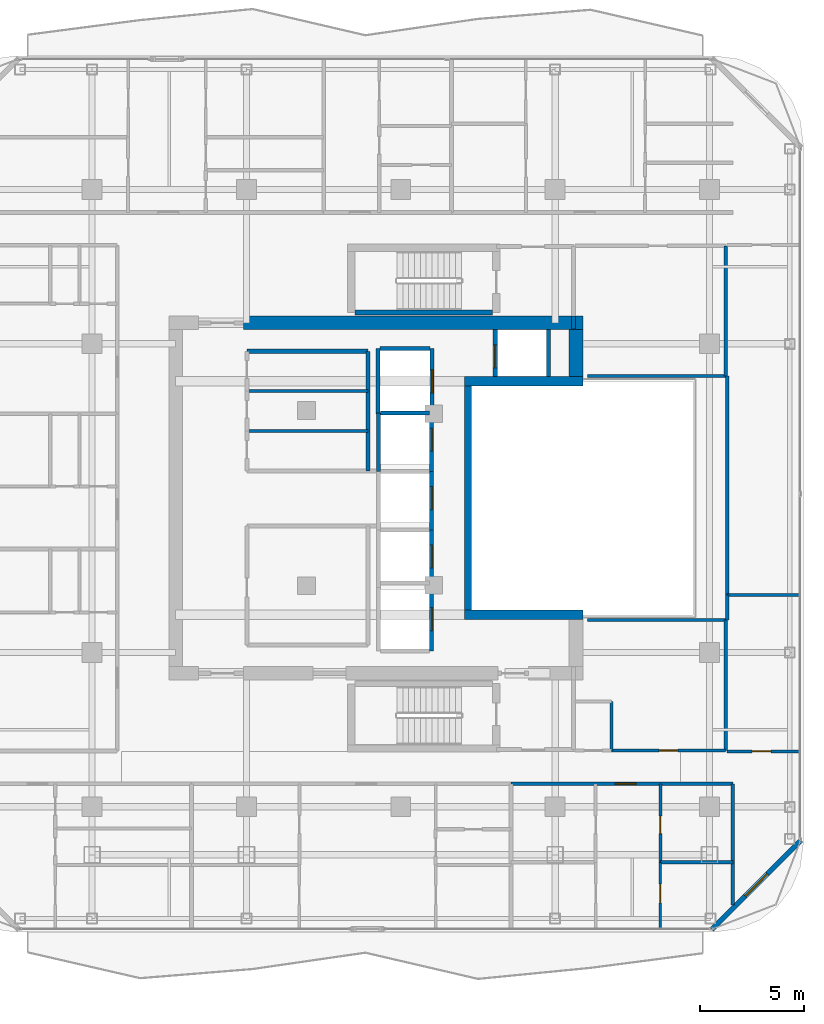
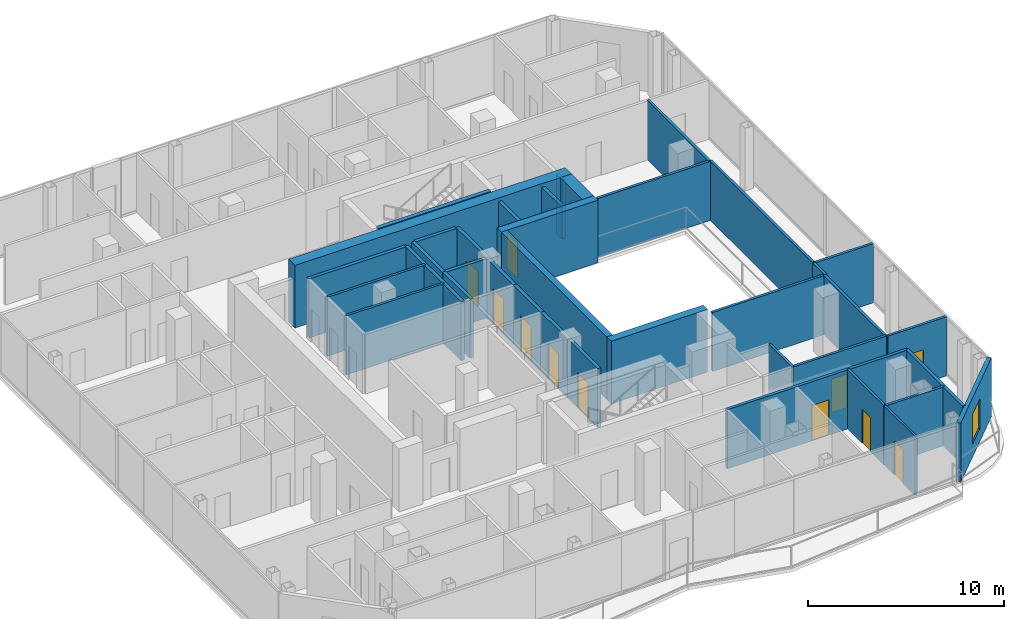
# One storey, part 18 of 23: 38 walls, 11 doors, 1 window, 12 openings.
"""IFC4 building model written with IfcOpenShell, lengths in metres."""

from ifc_helpers import new_model, si_unit, direction, frame, frame_2d, origin, place, context, subcontext, project, spatial, rectangle, extrude, material, layer, layer_set, type_object, element, fill, save


model = new_model("IFC4")

# Units and contexts
model_context = context("Model", 3, precision=1e-05, world=origin(), true_north=direction((0.0, 1.0)))
body_context = subcontext(model_context, "Body", "Model", "MODEL_VIEW")
ifc_project = project(units=[si_unit("LENGTHUNIT", "METRE"), si_unit("AREAUNIT", "SQUARE_METRE"), si_unit("VOLUMEUNIT", "CUBIC_METRE"), si_unit("PLANEANGLEUNIT", "RADIAN"), si_unit("MASSUNIT", "GRAM", prefix="KILO")], contexts=[model_context])

# Site, building, storey
site_placement = place(None, origin())
site = spatial("IfcSite", under=ifc_project, at=site_placement, CompositionType="ELEMENT")
building_placement = place(site_placement, origin())
building = spatial("IfcBuilding", under=site, at=building_placement, Name="Khorvyn Point Tower", CompositionType="ELEMENT")
storey_placement = place(building_placement, frame((0.0, 0.0, 293.699951171875)))
storey = spatial("IfcBuildingStorey", under=building, at=storey_placement, Name="L72", CompositionType="ELEMENT", Elevation=293.699951171875)

# Wall, opening, door
ifc_material_1 = material(Name="Double acoustic gypsum on twin steel stud", Category="steel")
ifc_layer_1 = layer(ifc_material_1, 0.179931640625)
ifc_layer_set_1 = layer_set([ifc_layer_1], Name="Acoustic Double-Stud Apartment Demising Wall 180")
wall_type_1 = type_object("IfcWallType", Name="Acoustic Double-Stud Apartment Demising Wall 180", PredefinedType="PARTITIONING", material=ifc_layer_set_1)
wall_1_placement = place(storey_placement, frame((5.282958984375, -13.699951171875, 0.0), z_axis=(0.0, 0.0, 1.0), x_axis=(1.0, 0.0, 0.0)))
wall_1 = element("IfcWall", 1, at=wall_1_placement, inside=storey, type_object=wall_type_1, Name="Wall", PredefinedType="PARTITIONING", context=body_context, shape_type="SweptSolid", body=[
    extrude(rectangle(XDim=10.636962890625, YDim=0.179931640625, at=frame_2d((5.318359375, 0.0))), origin(), (0.0, 0.0, 1.0), 3.679931640625),
])
opening_1_placement = place(wall_1_placement, frame((4.997802734375, 0.0, 0.0)))
opening_1 = element("IfcOpeningElement", 2, at=opening_1_placement, cuts=wall_1, Name="Opening ID-AP60", PredefinedType="OPENING", context=body_context, shape_type="SweptSolid", body=[
    extrude(rectangle(XDim=1.0, YDim=2.199951171875, at=frame_2d((0.5, 1.10009765625))), frame((0.0, 0.099853515625, 0.0), z_axis=(0.0, -1.0, 0.0), x_axis=(1.0, 0.0, 0.0)), (0.0, 0.0, 1.0), 0.199951171875),
])
ifc_material_2 = material(Name="Engineered hardwood fire-rated leaf", Category="wood")
door_type_1 = type_object("IfcDoorType", Name="Acoustic Solid-Core Timber Apartment Entrance Door 1000x2200", OperationType="NOTDEFINED", PredefinedType="DOOR", material=ifc_material_2)
door_1_placement = place(opening_1_placement, origin())
door_1 = element("IfcDoor", 3, at=door_1_placement, inside=storey, type_object=door_type_1, Name="Door", OperationType="SINGLE_SWING_LEFT", OverallHeight=2.199951171875, OverallWidth=1.0, PredefinedType="DOOR", context=body_context, shape_type="SweptSolid", body=[
    extrude(rectangle(XDim=1.0, YDim=2.199951171875, at=frame_2d((0.5, 1.10009765625))), frame((0.0, 0.02490234375, 0.0), z_axis=(0.0, -1.0, 0.0), x_axis=(1.0, 0.0, 0.0)), (0.0, 0.0, 1.0), 0.050048828125),
])
fill(opening_1, door_1)

# Wall
wall_2_placement = place(storey_placement, frame((15.919921875, -19.510009765625, 0.0), z_axis=(0.0, 0.0, 1.0), x_axis=(0.0, 1.0, 0.0)))
element("IfcWall", 4, at=wall_2_placement, inside=storey, type_object=wall_type_1, Name="Wall", PredefinedType="PARTITIONING", context=body_context, shape_type="SweptSolid", body=[
    extrude(rectangle(XDim=5.81005859375, YDim=0.179931640625, at=frame_2d((2.905029296875, 0.0))), origin(), (0.0, 0.0, 1.0), 3.679931640625),
])

# Wall, opening, window
ifc_material_3 = material(Name="Pale anodised aluminium rainscreen on steel stud", Category="steel")
ifc_layer_2 = layer(ifc_material_3, 0.239990234375)
ifc_layer_set_2 = layer_set([ifc_layer_2], Name="Anodised Aluminium Insulated Corner Spandrel Wall 240")
wall_type_2 = type_object("IfcWallType", Name="Anodised Aluminium Insulated Corner Spandrel Wall 240", PredefinedType="SOLIDWALL", material=ifc_layer_set_2)
wall_3_placement = place(storey_placement, frame((19.1923828125, -16.40771484375, 0.0), z_axis=(0.0, 0.0, 1.0), x_axis=(-0.707106781187, -0.707106781187, 0.0)))
wall_3 = element("IfcWall", 5, at=wall_3_placement, inside=storey, type_object=wall_type_2, Name="L72 Rounded Corner Wall SE", PredefinedType="SOLIDWALL", context=body_context, shape_type="SweptSolid", body=[
    extrude(rectangle(XDim=6.059326171875, YDim=0.239990234375, at=frame_2d((3.02978515625, 0.0))), origin(), (0.0, 0.0, 1.0), 3.679931640625),
])
opening_2_placement = place(wall_3_placement, frame((2.27978515625, 0.0, 0.800048828125)))
opening_2 = element("IfcOpeningElement", 6, at=opening_2_placement, cuts=wall_3, Name="Opening WN-1518", PredefinedType="OPENING", context=body_context, shape_type="SweptSolid", body=[
    extrude(rectangle(XDim=1.5, YDim=1.85009765625, at=frame_2d((0.75, 0.925048828125))), frame((0.0, 0.1298828125, 0.0), z_axis=(0.0, -1.0, 0.0), x_axis=(1.0, 0.0, 0.0)), (0.0, 0.0, 1.0), 0.260009765625),
])
ifc_material_4 = material(Name="Anodised aluminium 6063-T6 and laminated Low-E glass", Category="aluminium")
window_type = type_object("IfcWindowType", Name="Anodised Aluminium Rounded-Corner Panoramic Window 1500x1850", PartitioningType="SINGLE_PANEL", PredefinedType="WINDOW", material=ifc_material_4)
window_placement = place(opening_2_placement, origin())
window = element("IfcWindow", 7, at=window_placement, inside=storey, type_object=window_type, Name="L72 Corner Panoramic Window SE", OverallHeight=1.85009765625, OverallWidth=1.5, PartitioningType="SINGLE_PANEL", PredefinedType="WINDOW", context=body_context, shape_type="SweptSolid", body=[
    extrude(rectangle(XDim=1.5, YDim=1.85009765625, at=frame_2d((0.75, 0.925048828125))), frame((0.0, 0.030029296875, 0.0), z_axis=(0.0, -1.0, 0.0), x_axis=(1.0, 0.0, 0.0)), (0.0, 0.0, 1.0), 0.06005859375),
])
fill(opening_2, window)

# Walls
ifc_material_5 = material(Name="Concrete C40/50", Category="concrete")
ifc_layer_3 = layer(ifc_material_5, 0.449951171875)
ifc_layer_set_3 = layer_set([ifc_layer_3], Name="Concrete C40/50 Core Shear Wall 450")
wall_type_3 = type_object("IfcWallType", Name="Concrete C40/50 Core Shear Wall 450", PredefinedType="SHEAR", material=ifc_layer_set_3)
for number, where, z_axis, x_axis, name in (
    (8, (3.044921875, -5.60009765625, 0.0), (0.0, 0.0, 1.0), (1.0, 0.0, 0.0), "Wall"),
    (9, (3.044921875, 5.60009765625, 0.0), (0.0, 0.0, 1.0), (1.0, 0.0, 0.0), "Wall"),
):
    element("IfcWall", number, at=place(storey_placement, frame(where, z_axis=z_axis, x_axis=x_axis)), inside=storey, type_object=wall_type_3, Name=name, PredefinedType="SHEAR", context=body_context, shape_type="SweptSolid", body=[
        extrude(rectangle(XDim=5.68017578125, YDim=0.449951171875, at=frame_2d((2.840087890625, 0.0))), origin(), (0.0, 0.0, 1.0), 3.900146484375),
    ])
ifc_layer_4 = layer(ifc_material_5, 0.64990234375)
ifc_layer_set_4 = layer_set([ifc_layer_4], Name="Concrete C40/50 Core Shear Wall 650")
wall_type_4 = type_object("IfcWallType", Name="Concrete C40/50 Core Shear Wall 650", PredefinedType="SHEAR", material=ifc_layer_set_4)
wall_4_placement = place(storey_placement, frame((-7.550048828125, 8.39990234375, 0.0), z_axis=(0.0, 0.0, 1.0), x_axis=(1.0, 0.0, 0.0)))
element("IfcWall", 10, at=wall_4_placement, inside=storey, type_object=wall_type_4, Name="Wall", PredefinedType="SHEAR", context=body_context, shape_type="SweptSolid", body=[
    extrude(rectangle(XDim=16.275146484375, YDim=0.64990234375, at=frame_2d((8.1376953125, 0.0))), origin(), (0.0, 0.0, 1.0), 3.900146484375),
])
wall_5_placement = place(storey_placement, frame((8.39990234375, 5.824951171875, 0.0), z_axis=(0.0, 0.0, 1.0), x_axis=(0.0, 1.0, 0.0)))
element("IfcWall", 11, at=wall_5_placement, inside=storey, type_object=wall_type_4, Name="Wall", PredefinedType="SHEAR", context=body_context, shape_type="SweptSolid", body=[
    extrude(rectangle(XDim=2.25, YDim=0.64990234375, at=frame_2d((1.125, 0.0))), origin(), (0.0, 0.0, 1.0), 3.900146484375),
])
ifc_layer_5 = layer(ifc_material_5, 0.199951171875)
ifc_layer_set_5 = layer_set([ifc_layer_5], Name="Concrete C40/50 Fire-Lobby Compartment Wall 200")
wall_type_5 = type_object("IfcWallType", Name="Concrete C40/50 Fire-Lobby Compartment Wall 200", PredefinedType="SOLIDWALL", material=ifc_layer_set_5)
wall_6_placement = place(storey_placement, frame((-1.580078125, 1.300048828125, 0.0), z_axis=(0.0, 0.0, 1.0), x_axis=(0.0, 1.0, 0.0)))
element("IfcWall", 12, at=wall_6_placement, inside=storey, type_object=wall_type_5, Name="Wall", PredefinedType="SOLIDWALL", context=body_context, shape_type="SweptSolid", body=[
    extrude(rectangle(XDim=5.739990234375, YDim=0.199951171875, at=frame_2d((2.8701171875, 0.0))), origin(), (0.0, 0.0, 1.0), 3.679931640625),
])
wall_7_placement = place(storey_placement, frame((-7.3798828125, 7.0400390625, 0.0), z_axis=(0.0, 0.0, 1.0), x_axis=(1.0, 0.0, 0.0)))
element("IfcWall", 13, at=wall_7_placement, inside=storey, type_object=wall_type_5, Name="Wall", PredefinedType="SOLIDWALL", context=body_context, shape_type="SweptSolid", body=[
    extrude(rectangle(XDim=5.7998046875, YDim=0.199951171875, at=frame_2d((2.89990234375, 0.0))), origin(), (0.0, 0.0, 1.0), 3.679931640625),
])
wall_8_placement = place(storey_placement, frame((8.280029296875, 8.10009765625, 0.0), z_axis=(0.0, 0.0, 1.0), x_axis=(0.0, 1.0, 0.0)))
element("IfcWall", 14, at=wall_8_placement, inside=storey, type_object=wall_type_5, Name="Wall", PredefinedType="SOLIDWALL", context=body_context, shape_type="SweptSolid", body=[
    extrude(rectangle(XDim=0.625, YDim=0.199951171875, at=frame_2d((0.3125, 0.0))), origin(), (0.0, 0.0, 1.0), 3.679931640625),
])
ifc_layer_6 = layer(ifc_material_5, 0.25)
ifc_layer_set_6 = layer_set([ifc_layer_6], Name="Concrete C40/50 Stair Inner Cheek Structural Wall 250")
wall_type_6 = type_object("IfcWallType", Name="Concrete C40/50 Stair Inner Cheek Structural Wall 250", PredefinedType="SHEAR", material=ifc_layer_set_6)
wall_9_placement = place(storey_placement, frame((-2.199951171875, 8.89990234375, 0.0), z_axis=(0.0, 0.0, 1.0), x_axis=(1.0, 0.0, 0.0)))
element("IfcWall", 15, at=wall_9_placement, inside=storey, type_object=wall_type_6, Name="Wall", PredefinedType="SHEAR", context=body_context, shape_type="SweptSolid", body=[
    extrude(rectangle(XDim=6.599853515625, YDim=0.25, at=frame_2d((3.2998046875, 0.0))), origin(), (0.0, 0.0, 1.0), 3.900146484375),
])
ifc_layer_7 = layer(ifc_material_5, 0.35009765625)
ifc_layer_set_7 = layer_set([ifc_layer_7], Name="Concrete C40/50 Stair Shaft Structural Wall 350")
wall_type_7 = type_object("IfcWallType", Name="Concrete C40/50 Stair Shaft Structural Wall 350", PredefinedType="SHEAR", material=ifc_layer_set_7)
wall_10_placement = place(storey_placement, frame((3.219970703125, -5.375, 0.0), z_axis=(0.0, 0.0, 1.0), x_axis=(0.0, 1.0, 0.0)))
element("IfcWall", 16, at=wall_10_placement, inside=storey, type_object=wall_type_7, Name="Wall", PredefinedType="SHEAR", context=body_context, shape_type="SweptSolid", body=[
    extrude(rectangle(XDim=10.75, YDim=0.35009765625, at=frame_2d((5.375, 0.0))), origin(), (0.0, 0.0, 1.0), 3.900146484375),
])

# Wall, opening, door
ifc_layer_8 = layer(ifc_material_5, 0.199951171875)
ifc_layer_set_8 = layer_set([ifc_layer_8], Name="Concrete C40/50 Structural Hoistway and Stair Shaft Wall 200")
wall_type_8 = type_object("IfcWallType", Name="Concrete C40/50 Structural Hoistway and Stair Shaft Wall 200", PredefinedType="SHEAR", material=ifc_layer_set_8)
wall_11_placement = place(storey_placement, frame((1.47509765625, -4.27490234375, 0.0), z_axis=(0.0, 0.0, 1.0), x_axis=(0.0, 1.0, 0.0)))
wall_11 = element("IfcWall", 17, at=wall_11_placement, inside=storey, type_object=wall_type_8, Name="Wall", PredefinedType="SHEAR", context=body_context, shape_type="SweptSolid", body=[
    extrude(rectangle(XDim=2.75, YDim=0.199951171875, at=frame_2d((1.375, 0.0))), origin(), (0.0, 0.0, 1.0), 3.679931640625),
])
opening_3_placement = place(wall_11_placement, frame((0.925048828125, 0.0, 0.0)))
opening_3 = element("IfcOpeningElement", 18, at=opening_3_placement, cuts=wall_11, Name="Opening LD-1122", PredefinedType="OPENING", context=body_context, shape_type="SweptSolid", body=[
    extrude(rectangle(XDim=1.10009765625, YDim=2.199951171875, at=frame_2d((0.550048828125, 1.10009765625))), frame((0.0, 0.10986328125, 0.0), z_axis=(0.0, -1.0, 0.0), x_axis=(1.0, 0.0, 0.0)), (0.0, 0.0, 1.0), 0.219970703125),
])
ifc_material_6 = material(Name="Stainless steel 1.4301", Category="steel")
door_type_2 = type_object("IfcDoorType", Name="Stainless Steel Automatic Sliding Lift Landing Door 1100x2200", OperationType="SLIDING_TO_LEFT", PredefinedType="DOOR", material=ifc_material_6)
door_2_placement = place(opening_3_placement, origin())
door_2 = element("IfcDoor", 19, at=door_2_placement, inside=storey, type_object=door_type_2, Name="L72 RH-01 Sliding Lift Landing Door", OperationType="SLIDING_TO_LEFT", OverallHeight=2.199951171875, OverallWidth=1.10009765625, PredefinedType="DOOR", context=body_context, shape_type="SweptSolid", body=[
    extrude(rectangle(XDim=1.10009765625, YDim=2.199951171875, at=frame_2d((0.550048828125, 1.10009765625))), frame((0.0, 0.02490234375, 0.0), z_axis=(0.0, -1.0, 0.0), x_axis=(1.0, 0.0, 0.0)), (0.0, 0.0, 1.0), 0.050048828125),
])
fill(opening_3, door_2)

wall_12_placement = place(storey_placement, frame((1.47509765625, -1.52490234375, 0.0), z_axis=(0.0, 0.0, 1.0), x_axis=(0.0, 1.0, 0.0)))
wall_12 = element("IfcWall", 20, at=wall_12_placement, inside=storey, type_object=wall_type_8, Name="Wall", PredefinedType="SHEAR", context=body_context, shape_type="SweptSolid", body=[
    extrude(rectangle(XDim=2.7998046875, YDim=0.199951171875, at=frame_2d((1.39990234375, 0.0))), origin(), (0.0, 0.0, 1.0), 3.679931640625),
])
opening_4_placement = place(wall_12_placement, frame((0.97509765625, 0.0, 0.0)))
opening_4 = element("IfcOpeningElement", 21, at=opening_4_placement, cuts=wall_12, Name="Opening LD-1122", PredefinedType="OPENING", context=body_context, shape_type="SweptSolid", body=[
    extrude(rectangle(XDim=1.10009765625, YDim=2.199951171875, at=frame_2d((0.550048828125, 1.10009765625))), frame((0.0, 0.10986328125, 0.0), z_axis=(0.0, -1.0, 0.0), x_axis=(1.0, 0.0, 0.0)), (0.0, 0.0, 1.0), 0.219970703125),
])
door_3_placement = place(opening_4_placement, origin())
door_3 = element("IfcDoor", 22, at=door_3_placement, inside=storey, type_object=door_type_2, Name="L72 RH-02 Sliding Lift Landing Door", OperationType="SLIDING_TO_LEFT", OverallHeight=2.199951171875, OverallWidth=1.10009765625, PredefinedType="DOOR", context=body_context, shape_type="SweptSolid", body=[
    extrude(rectangle(XDim=1.10009765625, YDim=2.199951171875, at=frame_2d((0.550048828125, 1.10009765625))), frame((0.0, 0.02490234375, 0.0), z_axis=(0.0, -1.0, 0.0), x_axis=(1.0, 0.0, 0.0)), (0.0, 0.0, 1.0), 0.050048828125),
])
fill(opening_4, door_3)

# Wall
wall_13_placement = place(storey_placement, frame((-1.074951171875, 1.27490234375, 0.0), z_axis=(0.0, 0.0, 1.0), x_axis=(0.0, 1.0, 0.0)))
element("IfcWall", 23, at=wall_13_placement, inside=storey, type_object=wall_type_8, Name="Wall", PredefinedType="SHEAR", context=body_context, shape_type="SweptSolid", body=[
    extrude(rectangle(XDim=2.800048828125, YDim=0.199951171875, at=frame_2d((1.39990234375, 0.0))), origin(), (0.0, 0.0, 1.0), 3.679931640625),
])

# Wall, opening, door
wall_14_placement = place(storey_placement, frame((1.47509765625, 1.27490234375, 0.0), z_axis=(0.0, 0.0, 1.0), x_axis=(0.0, 1.0, 0.0)))
wall_14 = element("IfcWall", 24, at=wall_14_placement, inside=storey, type_object=wall_type_8, Name="Wall", PredefinedType="SHEAR", context=body_context, shape_type="SweptSolid", body=[
    extrude(rectangle(XDim=2.800048828125, YDim=0.199951171875, at=frame_2d((1.39990234375, 0.0))), origin(), (0.0, 0.0, 1.0), 3.679931640625),
])
opening_5_placement = place(wall_14_placement, frame((0.97509765625, 0.0, 0.0)))
opening_5 = element("IfcOpeningElement", 25, at=opening_5_placement, cuts=wall_14, Name="Opening LD-1122", PredefinedType="OPENING", context=body_context, shape_type="SweptSolid", body=[
    extrude(rectangle(XDim=1.10009765625, YDim=2.199951171875, at=frame_2d((0.550048828125, 1.10009765625))), frame((0.0, 0.10986328125, 0.0), z_axis=(0.0, -1.0, 0.0), x_axis=(1.0, 0.0, 0.0)), (0.0, 0.0, 1.0), 0.219970703125),
])
door_4_placement = place(opening_5_placement, origin())
door_4 = element("IfcDoor", 26, at=door_4_placement, inside=storey, type_object=door_type_2, Name="L72 RH-03 Sliding Lift Landing Door", OperationType="SLIDING_TO_LEFT", OverallHeight=2.199951171875, OverallWidth=1.10009765625, PredefinedType="DOOR", context=body_context, shape_type="SweptSolid", body=[
    extrude(rectangle(XDim=1.10009765625, YDim=2.199951171875, at=frame_2d((0.550048828125, 1.10009765625))), frame((0.0, 0.02490234375, 0.0), z_axis=(0.0, -1.0, 0.0), x_axis=(1.0, 0.0, 0.0)), (0.0, 0.0, 1.0), 0.050048828125),
])
fill(opening_5, door_4)

# Walls
wall_15_placement = place(storey_placement, frame((-0.97509765625, 4.074951171875, 0.0), z_axis=(0.0, 0.0, 1.0), x_axis=(1.0, 0.0, 0.0)))
element("IfcWall", 27, at=wall_15_placement, inside=storey, type_object=wall_type_8, Name="Wall", PredefinedType="SHEAR", context=body_context, shape_type="SweptSolid", body=[
    extrude(rectangle(XDim=2.35009765625, YDim=0.199951171875, at=frame_2d((1.175048828125, 0.0))), origin(), (0.0, 0.0, 1.0), 3.679931640625),
])
wall_16_placement = place(storey_placement, frame((-1.10009765625, 4.02490234375, 0.0), z_axis=(0.0, 0.0, 1.0), x_axis=(0.0, 1.0, 0.0)))
element("IfcWall", 28, at=wall_16_placement, inside=storey, type_object=wall_type_8, Name="Wall", PredefinedType="SHEAR", context=body_context, shape_type="SweptSolid", body=[
    extrude(rectangle(XDim=3.150146484375, YDim=0.199951171875, at=frame_2d((1.5751953125, 0.0))), origin(), (0.0, 0.0, 1.0), 3.679931640625),
])

# Wall, opening, door
wall_17_placement = place(storey_placement, frame((1.5, 4.02490234375, 0.0), z_axis=(0.0, 0.0, 1.0), x_axis=(0.0, 1.0, 0.0)))
wall_17 = element("IfcWall", 29, at=wall_17_placement, inside=storey, type_object=wall_type_8, Name="Wall", PredefinedType="SHEAR", context=body_context, shape_type="SweptSolid", body=[
    extrude(rectangle(XDim=3.150146484375, YDim=0.199951171875, at=frame_2d((1.5751953125, 0.0))), origin(), (0.0, 0.0, 1.0), 3.679931640625),
])
opening_6_placement = place(wall_17_placement, frame((1.02490234375, 0.0, 0.0)))
opening_6 = element("IfcOpeningElement", 30, at=opening_6_placement, cuts=wall_17, Name="Opening LD-1122", PredefinedType="OPENING", context=body_context, shape_type="SweptSolid", body=[
    extrude(rectangle(XDim=1.10009765625, YDim=2.199951171875, at=frame_2d((0.550048828125, 1.10009765625))), frame((0.0, 0.10986328125, 0.0), z_axis=(0.0, -1.0, 0.0), x_axis=(1.0, 0.0, 0.0)), (0.0, 0.0, 1.0), 0.219970703125),
])
door_5_placement = place(opening_6_placement, origin())
door_5 = element("IfcDoor", 31, at=door_5_placement, inside=storey, type_object=door_type_2, Name="L72 SV-01 Sliding Lift Landing Door", OperationType="SLIDING_TO_LEFT", OverallHeight=2.199951171875, OverallWidth=1.10009765625, PredefinedType="DOOR", context=body_context, shape_type="SweptSolid", body=[
    extrude(rectangle(XDim=1.10009765625, YDim=2.199951171875, at=frame_2d((0.550048828125, 1.10009765625))), frame((0.0, 0.02490234375, 0.0), z_axis=(0.0, -1.0, 0.0), x_axis=(1.0, 0.0, 0.0)), (0.0, 0.0, 1.0), 0.050048828125),
])
fill(opening_6, door_5)

# Wall
wall_18_placement = place(storey_placement, frame((-1.0, 7.175048828125, 0.0), z_axis=(0.0, 0.0, 1.0), x_axis=(1.0, 0.0, 0.0)))
element("IfcWall", 32, at=wall_18_placement, inside=storey, type_object=wall_type_8, Name="Wall", PredefinedType="SHEAR", context=body_context, shape_type="SweptSolid", body=[
    extrude(rectangle(XDim=2.39990234375, YDim=0.199951171875, at=frame_2d((1.199951171875, 0.0))), origin(), (0.0, 0.0, 1.0), 3.679931640625),
])

# Wall, opening, door
wall_19_placement = place(storey_placement, frame((1.47509765625, -7.324951171875, 0.0), z_axis=(0.0, 0.0, 1.0), x_axis=(0.0, 1.0, 0.0)))
wall_19 = element("IfcWall", 33, at=wall_19_placement, inside=storey, type_object=wall_type_8, Name="Wall", PredefinedType="SHEAR", context=body_context, shape_type="SweptSolid", body=[
    extrude(rectangle(XDim=3.050048828125, YDim=0.199951171875, at=frame_2d((1.52490234375, 0.0))), origin(), (0.0, 0.0, 1.0), 3.679931640625),
])
opening_7_placement = place(wall_19_placement, frame((0.97509765625, 0.0, 0.0)))
opening_7 = element("IfcOpeningElement", 34, at=opening_7_placement, cuts=wall_19, Name="Opening LD-1122", PredefinedType="OPENING", context=body_context, shape_type="SweptSolid", body=[
    extrude(rectangle(XDim=1.10009765625, YDim=2.199951171875, at=frame_2d((0.550048828125, 1.10009765625))), frame((0.0, 0.10986328125, 0.0), z_axis=(0.0, -1.0, 0.0), x_axis=(1.0, 0.0, 0.0)), (0.0, 0.0, 1.0), 0.219970703125),
])
door_6_placement = place(opening_7_placement, origin())
door_6 = element("IfcDoor", 35, at=door_6_placement, inside=storey, type_object=door_type_2, Name="L72 FF-01 Sliding Lift Landing Door", OperationType="SLIDING_TO_LEFT", OverallHeight=2.199951171875, OverallWidth=1.10009765625, PredefinedType="DOOR", context=body_context, shape_type="SweptSolid", body=[
    extrude(rectangle(XDim=1.10009765625, YDim=2.199951171875, at=frame_2d((0.550048828125, 1.10009765625))), frame((0.0, 0.02490234375, 0.0), z_axis=(0.0, -1.0, 0.0), x_axis=(1.0, 0.0, 0.0)), (0.0, 0.0, 1.0), 0.050048828125),
])
fill(opening_7, door_6)

wall_20_placement = place(storey_placement, frame((4.52490234375, 5.824951171875, 0.0), z_axis=(0.0, 0.0, 1.0), x_axis=(0.0, 1.0, 0.0)))
wall_20 = element("IfcWall", 36, at=wall_20_placement, inside=storey, type_object=wall_type_8, Name="Wall", PredefinedType="SHEAR", context=body_context, shape_type="SweptSolid", body=[
    extrude(rectangle(XDim=2.25, YDim=0.199951171875, at=frame_2d((1.125, 0.0))), origin(), (0.0, 0.0, 1.0), 3.679931640625),
])
opening_8_placement = place(wall_20_placement, frame((0.425048828125, 0.0, 0.0)))
opening_8 = element("IfcOpeningElement", 37, at=opening_8_placement, cuts=wall_20, Name="Opening LD-1122", PredefinedType="OPENING", context=body_context, shape_type="SweptSolid", body=[
    extrude(rectangle(XDim=1.10009765625, YDim=2.199951171875, at=frame_2d((0.550048828125, 1.10009765625))), frame((0.0, 0.10986328125, 0.0), z_axis=(0.0, -1.0, 0.0), x_axis=(1.0, 0.0, 0.0)), (0.0, 0.0, 1.0), 0.219970703125),
])
door_7_placement = place(opening_8_placement, origin())
door_7 = element("IfcDoor", 38, at=door_7_placement, inside=storey, type_object=door_type_2, Name="L72 FF-02 Sliding Lift Landing Door", OperationType="SLIDING_TO_LEFT", OverallHeight=2.199951171875, OverallWidth=1.10009765625, PredefinedType="DOOR", context=body_context, shape_type="SweptSolid", body=[
    extrude(rectangle(XDim=1.10009765625, YDim=2.199951171875, at=frame_2d((0.550048828125, 1.10009765625))), frame((0.0, 0.02490234375, 0.0), z_axis=(0.0, -1.0, 0.0), x_axis=(1.0, 0.0, 0.0)), (0.0, 0.0, 1.0), 0.050048828125),
])
fill(opening_8, door_7)

# Wall
wall_21_placement = place(storey_placement, frame((7.074951171875, 5.824951171875, 0.0), z_axis=(0.0, 0.0, 1.0), x_axis=(0.0, 1.0, 0.0)))
element("IfcWall", 39, at=wall_21_placement, inside=storey, type_object=wall_type_8, Name="Wall", PredefinedType="SHEAR", context=body_context, shape_type="SweptSolid", body=[
    extrude(rectangle(XDim=2.25, YDim=0.199951171875, at=frame_2d((1.125, 0.0))), origin(), (0.0, 0.0, 1.0), 3.679931640625),
])

# Wall, opening, door
ifc_material_7 = material(Name="Gypsum plasterboard on steel stud", Category="steel")
ifc_layer_9 = layer(ifc_material_7, 0.1201171875)
ifc_layer_set_9 = layer_set([ifc_layer_9], Name="Gypsum Acoustic Stud Room Partition Wall 120")
wall_type_9 = type_object("IfcWallType", Name="Gypsum Acoustic Stud Room Partition Wall 120", PredefinedType="PARTITIONING", material=ifc_layer_set_9)
wall_22_placement = place(storey_placement, frame((12.446044921875, -20.6298828125, 0.0), z_axis=(0.0, 0.0, 1.0), x_axis=(0.0, 1.0, 0.0)))
wall_22 = element("IfcWall", 40, at=wall_22_placement, inside=storey, type_object=wall_type_9, Name="Wall", PredefinedType="PARTITIONING", context=body_context, shape_type="SweptSolid", body=[
    extrude(rectangle(XDim=3.1689453125, YDim=0.1201171875, at=frame_2d((1.58447265625, 0.0))), origin(), (0.0, 0.0, 1.0), 3.679931640625),
])
opening_9_placement = place(wall_22_placement, frame((1.22314453125, 0.0, 0.0)))
opening_9 = element("IfcOpeningElement", 41, at=opening_9_placement, cuts=wall_22, Name="Opening ID-RM90", PredefinedType="OPENING", context=body_context, shape_type="SweptSolid", body=[
    extrude(rectangle(XDim=0.89990234375, YDim=2.10009765625, at=frame_2d((0.449951171875, 1.050048828125))), frame((0.0, 0.070068359375, 0.0), z_axis=(0.0, -1.0, 0.0), x_axis=(1.0, 0.0, 0.0)), (0.0, 0.0, 1.0), 0.14013671875),
])
ifc_material_8 = material(Name="Engineered oak veneer timber", Category="wood")
door_type_3 = type_object("IfcDoorType", Name="Flush Engineered Timber Room Door 900x2100", OperationType="NOTDEFINED", PredefinedType="DOOR", material=ifc_material_8)
door_8_placement = place(opening_9_placement, origin())
door_8 = element("IfcDoor", 42, at=door_8_placement, inside=storey, type_object=door_type_3, Name="Door", OperationType="SINGLE_SWING_LEFT", OverallHeight=2.10009765625, OverallWidth=0.89990234375, PredefinedType="DOOR", context=body_context, shape_type="SweptSolid", body=[
    extrude(rectangle(XDim=0.89990234375, YDim=2.10009765625, at=frame_2d((0.449951171875, 1.050048828125))), frame((0.0, 0.02490234375, 0.0), z_axis=(0.0, -1.0, 0.0), x_axis=(1.0, 0.0, 0.0)), (0.0, 0.0, 1.0), 0.050048828125),
])
fill(opening_9, door_8)

ifc_material_9 = material(Name="Moisture-resistant gypsum and cement board", Category="gypsum")
ifc_layer_10 = layer(ifc_material_9, 0.14990234375)
ifc_layer_set_10 = layer_set([ifc_layer_10], Name="Moisture-Resistant Wet-Room Partition Wall 150")
wall_type_10 = type_object("IfcWallType", Name="Moisture-Resistant Wet-Room Partition Wall 150", PredefinedType="PARTITIONING", material=ifc_layer_set_10)
wall_23_placement = place(storey_placement, frame((10.10009765625, -12.10009765625, 0.0), z_axis=(0.0, 0.0, 1.0), x_axis=(1.0, 0.0, 0.0)))
wall_23 = element("IfcWall", 43, at=wall_23_placement, inside=storey, type_object=wall_type_10, Name="Wall", PredefinedType="PARTITIONING", context=body_context, shape_type="SweptSolid", body=[
    extrude(rectangle(XDim=5.47998046875, YDim=0.14990234375, at=frame_2d((2.739990234375, 0.0))), origin(), (0.0, 0.0, 1.0), 3.679931640625),
])
opening_10_placement = place(wall_23_placement, frame((2.2900390625, 0.0, 0.0)))
opening_10 = element("IfcOpeningElement", 44, at=opening_10_placement, cuts=wall_23, Name="Opening ID-RM90", PredefinedType="OPENING", context=body_context, shape_type="SweptSolid", body=[
    extrude(rectangle(XDim=0.89990234375, YDim=2.10009765625, at=frame_2d((0.449951171875, 1.050048828125))), frame((0.0, 0.0849609375, 0.0), z_axis=(0.0, -1.0, 0.0), x_axis=(1.0, 0.0, 0.0)), (0.0, 0.0, 1.0), 0.169921875),
])
door_9_placement = place(opening_10_placement, origin())
door_9 = element("IfcDoor", 45, at=door_9_placement, inside=storey, type_object=door_type_3, Name="Door", OperationType="SINGLE_SWING_LEFT", OverallHeight=2.10009765625, OverallWidth=0.89990234375, PredefinedType="DOOR", context=body_context, shape_type="SweptSolid", body=[
    extrude(rectangle(XDim=0.89990234375, YDim=2.10009765625, at=frame_2d((0.449951171875, 1.050048828125))), frame((0.0, 0.02490234375, 0.0), z_axis=(0.0, -1.0, 0.0), x_axis=(1.0, 0.0, 0.0)), (0.0, 0.0, 1.0), 0.050048828125),
])
fill(opening_10, door_9)

wall_24_placement = place(storey_placement, frame((12.446044921875, -17.4609375, 0.0), z_axis=(0.0, 0.0, 1.0), x_axis=(0.0, 1.0, 0.0)))
wall_24 = element("IfcWall", 46, at=wall_24_placement, inside=storey, type_object=wall_type_10, Name="Wall", PredefinedType="PARTITIONING", context=body_context, shape_type="SweptSolid", body=[
    extrude(rectangle(XDim=3.760986328125, YDim=0.14990234375, at=frame_2d((1.88037109375, 0.0))), origin(), (0.0, 0.0, 1.0), 3.679931640625),
])
opening_11_placement = place(wall_24_placement, frame((1.369140625, 0.0, 0.0)))
opening_11 = element("IfcOpeningElement", 47, at=opening_11_placement, cuts=wall_24, Name="Opening ID-WC85", PredefinedType="OPENING", context=body_context, shape_type="SweptSolid", body=[
    extrude(rectangle(XDim=0.85009765625, YDim=2.10009765625, at=frame_2d((0.425048828125, 1.050048828125))), frame((0.0, 0.0849609375, 0.0), z_axis=(0.0, -1.0, 0.0), x_axis=(1.0, 0.0, 0.0)), (0.0, 0.0, 1.0), 0.169921875),
])
ifc_material_10 = material(Name="High-pressure laminate on moisture-resistant core", Category="wood")
door_type_4 = type_object("IfcDoorType", Name="Moisture-Resistant Accessible Washroom Door 850x2100", OperationType="NOTDEFINED", PredefinedType="DOOR", material=ifc_material_10)
door_10_placement = place(opening_11_placement, origin())
door_10 = element("IfcDoor", 48, at=door_10_placement, inside=storey, type_object=door_type_4, Name="Door", OperationType="SINGLE_SWING_RIGHT", OverallHeight=2.10009765625, OverallWidth=0.85009765625, PredefinedType="DOOR", context=body_context, shape_type="SweptSolid", body=[
    extrude(rectangle(XDim=0.85009765625, YDim=2.10009765625, at=frame_2d((0.425048828125, 1.050048828125))), frame((0.0, 0.02490234375, 0.0), z_axis=(0.0, -1.0, 0.0), x_axis=(1.0, 0.0, 0.0)), (0.0, 0.0, 1.0), 0.050048828125),
])
fill(opening_11, door_10)

wall_25_placement = place(storey_placement, frame((15.64990234375, -12.139892578125, 0.0), z_axis=(0.0, 0.0, 1.0), x_axis=(1.0, 0.0, 0.0)))
wall_25 = element("IfcWall", 49, at=wall_25_placement, inside=storey, type_object=wall_type_10, Name="Wall", PredefinedType="PARTITIONING", context=body_context, shape_type="SweptSolid", body=[
    extrude(rectangle(XDim=3.47021484375, YDim=0.14990234375, at=frame_2d((1.735107421875, 0.0))), origin(), (0.0, 0.0, 1.0), 3.679931640625),
])
opening_12_placement = place(wall_25_placement, frame((1.198486328125, 0.0, 0.0)))
opening_12 = element("IfcOpeningElement", 50, at=opening_12_placement, cuts=wall_25, Name="Opening ID-RM90", PredefinedType="OPENING", context=body_context, shape_type="SweptSolid", body=[
    extrude(rectangle(XDim=0.89990234375, YDim=2.10009765625, at=frame_2d((0.449951171875, 1.050048828125))), frame((0.0, 0.0849609375, 0.0), z_axis=(0.0, -1.0, 0.0), x_axis=(1.0, 0.0, 0.0)), (0.0, 0.0, 1.0), 0.169921875),
])
door_11_placement = place(opening_12_placement, origin())
door_11 = element("IfcDoor", 51, at=door_11_placement, inside=storey, type_object=door_type_3, Name="Door", OperationType="SINGLE_SWING_RIGHT", OverallHeight=2.10009765625, OverallWidth=0.89990234375, PredefinedType="DOOR", context=body_context, shape_type="SweptSolid", body=[
    extrude(rectangle(XDim=0.89990234375, YDim=2.10009765625, at=frame_2d((0.449951171875, 1.050048828125))), frame((0.0, 0.02490234375, 0.0), z_axis=(0.0, -1.0, 0.0), x_axis=(1.0, 0.0, 0.0)), (0.0, 0.0, 1.0), 0.050048828125),
])
fill(opening_12, door_11)

# Walls
for number, where, z_axis, x_axis, name in (
    (52, (-7.3798828125, 3.219970703125, 0.0), (0.0, 0.0, 1.0), (1.0, 0.0, 0.0), "Wall"),
    (53, (-7.3798828125, 5.139892578125, 0.0), (0.0, 0.0, 1.0), (1.0, 0.0, 0.0), "Wall"),
):
    element("IfcWall", number, at=place(storey_placement, frame(where, z_axis=z_axis, x_axis=x_axis)), inside=storey, type_object=wall_type_10, Name=name, PredefinedType="PARTITIONING", context=body_context, shape_type="SweptSolid", body=[
        extrude(rectangle(XDim=5.7998046875, YDim=0.14990234375, at=frame_2d((2.89990234375, 0.0))), origin(), (0.0, 0.0, 1.0), 3.679931640625),
    ])
wall_26_placement = place(storey_placement, frame((10.10009765625, -12.10009765625, 0.0), z_axis=(0.0, 0.0, 1.0), x_axis=(0.0, 1.0, 0.0)))
element("IfcWall", 54, at=wall_26_placement, inside=storey, type_object=wall_type_10, Name="Wall", PredefinedType="PARTITIONING", context=body_context, shape_type="SweptSolid", body=[
    extrude(rectangle(XDim=2.35009765625, YDim=0.14990234375, at=frame_2d((1.175048828125, 0.0))), origin(), (0.0, 0.0, 1.0), 3.679931640625),
])
wall_27_placement = place(storey_placement, frame((15.580078125, -12.10009765625, 0.0), z_axis=(0.0, 0.0, 1.0), x_axis=(0.0, 1.0, 0.0)))
element("IfcWall", 55, at=wall_27_placement, inside=storey, type_object=wall_type_10, Name="Wall", PredefinedType="PARTITIONING", context=body_context, shape_type="SweptSolid", body=[
    extrude(rectangle(XDim=6.25, YDim=0.14990234375, at=frame_2d((3.125, 0.0))), origin(), (0.0, 0.0, 1.0), 3.679931640625),
])
wall_28_placement = place(storey_placement, frame((8.9599609375, -5.85009765625, 0.0), z_axis=(0.0, 0.0, 1.0), x_axis=(1.0, 0.0, 0.0)))
element("IfcWall", 56, at=wall_28_placement, inside=storey, type_object=wall_type_10, Name="Wall", PredefinedType="PARTITIONING", context=body_context, shape_type="SweptSolid", body=[
    extrude(rectangle(XDim=6.6201171875, YDim=0.14990234375, at=frame_2d((3.31005859375, 0.0))), origin(), (0.0, 0.0, 1.0), 3.679931640625),
])
wall_29_placement = place(storey_placement, frame((15.580078125, 5.85009765625, 0.0), z_axis=(0.0, 0.0, 1.0), x_axis=(0.0, 1.0, 0.0)))
element("IfcWall", 57, at=wall_29_placement, inside=storey, type_object=wall_type_10, Name="Wall", PredefinedType="PARTITIONING", context=body_context, shape_type="SweptSolid", body=[
    extrude(rectangle(XDim=6.25, YDim=0.14990234375, at=frame_2d((3.125, 0.0))), origin(), (0.0, 0.0, 1.0), 3.679931640625),
])
wall_30_placement = place(storey_placement, frame((8.9599609375, 5.85009765625, 0.0), z_axis=(0.0, 0.0, 1.0), x_axis=(1.0, 0.0, 0.0)))
element("IfcWall", 58, at=wall_30_placement, inside=storey, type_object=wall_type_10, Name="Wall", PredefinedType="PARTITIONING", context=body_context, shape_type="SweptSolid", body=[
    extrude(rectangle(XDim=6.6201171875, YDim=0.14990234375, at=frame_2d((3.31005859375, 0.0))), origin(), (0.0, 0.0, 1.0), 3.679931640625),
])
wall_31_placement = place(storey_placement, frame((12.446044921875, -17.4609375, 0.0), z_axis=(0.0, 0.0, 1.0), x_axis=(1.0, 0.0, 0.0)))
element("IfcWall", 59, at=wall_31_placement, inside=storey, type_object=wall_type_10, Name="Wall", PredefinedType="PARTITIONING", context=body_context, shape_type="SweptSolid", body=[
    extrude(rectangle(XDim=3.473876953125, YDim=0.14990234375, at=frame_2d((1.73681640625, 0.0))), origin(), (0.0, 0.0, 1.0), 3.679931640625),
])
wall_32_placement = place(storey_placement, frame((15.64990234375, -5.85009765625, 0.0), z_axis=(0.0, 0.0, 1.0), x_axis=(0.0, 1.0, 0.0)))
element("IfcWall", 60, at=wall_32_placement, inside=storey, type_object=wall_type_10, Name="Wall", PredefinedType="PARTITIONING", context=body_context, shape_type="SweptSolid", body=[
    extrude(rectangle(XDim=1.2001953125, YDim=0.14990234375, at=frame_2d((0.60009765625, 0.0))), origin(), (0.0, 0.0, 1.0), 3.679931640625),
])
wall_33_placement = place(storey_placement, frame((15.64990234375, -4.64990234375, 0.0), z_axis=(0.0, 0.0, 1.0), x_axis=(0.0, 1.0, 0.0)))
element("IfcWall", 61, at=wall_33_placement, inside=storey, type_object=wall_type_10, Name="Wall", PredefinedType="PARTITIONING", context=body_context, shape_type="SweptSolid", body=[
    extrude(rectangle(XDim=10.5, YDim=0.14990234375, at=frame_2d((5.25, 0.0))), origin(), (0.0, 0.0, 1.0), 3.679931640625),
])
wall_34_placement = place(storey_placement, frame((15.64990234375, -4.64990234375, 0.0), z_axis=(0.0, 0.0, 1.0), x_axis=(1.0, 0.0, 0.0)))
element("IfcWall", 62, at=wall_34_placement, inside=storey, type_object=wall_type_10, Name="Wall", PredefinedType="PARTITIONING", context=body_context, shape_type="SweptSolid", body=[
    extrude(rectangle(XDim=3.47998046875, YDim=0.14990234375, at=frame_2d((1.739990234375, 0.0))), origin(), (0.0, 0.0, 1.0), 3.679931640625),
])

save(model, "model.ifc")
